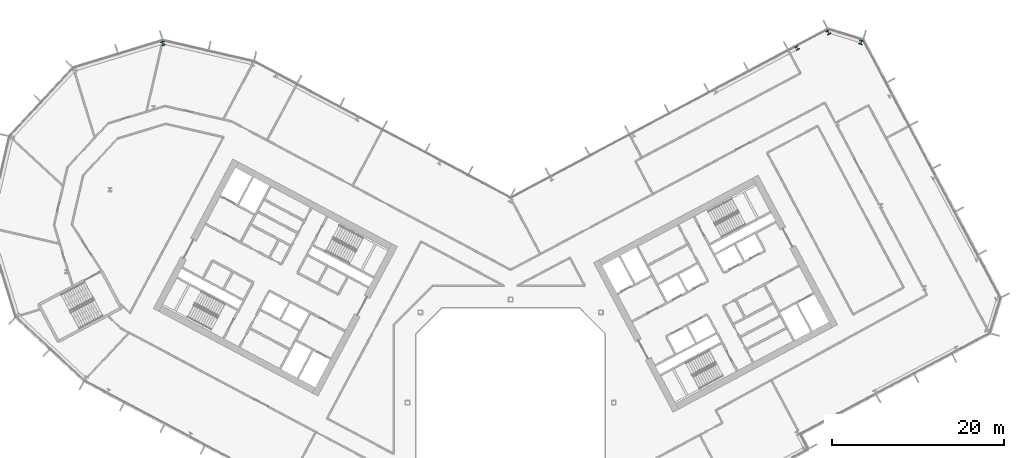
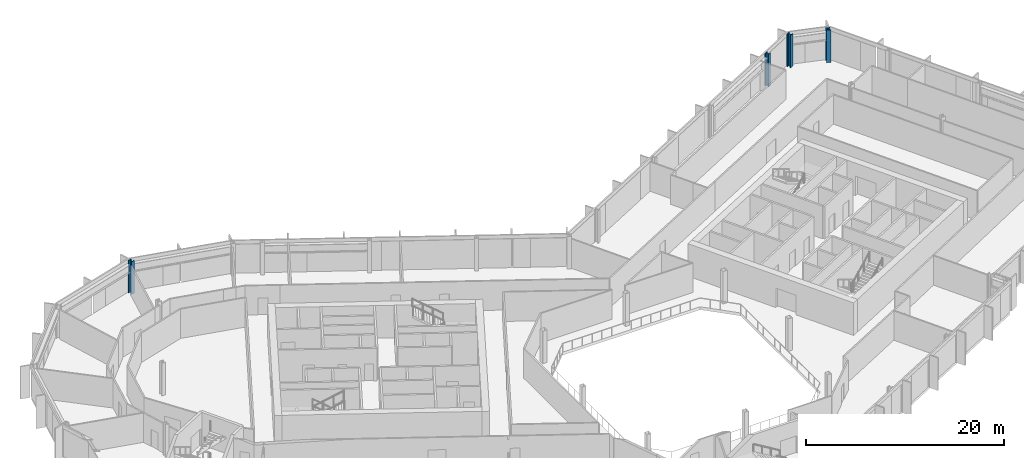
# One storey, part 8 of 28: 4 columns.
"""IFC4 building model written with IfcOpenShell, lengths in metres."""

from ifc_helpers import new_model, si_unit, direction, frame, origin, origin_2d, place, context, subcontext, project, spatial, i_section, extrude, material, material_profile, profile_set, type_object, element, save


model = new_model("IFC4")

# Units and contexts
model_context = context("Model", 3, precision=1e-05, world=origin(), true_north=direction((0.0, 1.0)))
body_context = subcontext(model_context, "Body", "Model", "MODEL_VIEW")
ifc_project = project(units=[si_unit("LENGTHUNIT", "METRE"), si_unit("AREAUNIT", "SQUARE_METRE"), si_unit("VOLUMEUNIT", "CUBIC_METRE"), si_unit("PLANEANGLEUNIT", "RADIAN"), si_unit("MASSUNIT", "GRAM", prefix="KILO")], contexts=[model_context])

# Site, building, storey
site_placement = place(None, origin())
site = spatial("IfcSite", under=ifc_project, at=site_placement, CompositionType="ELEMENT")
building_placement = place(site_placement, origin())
building = spatial("IfcBuilding", under=site, at=building_placement, Name="Cormorant Relay Tower", CompositionType="ELEMENT")
storey_placement = place(building_placement, frame((0.0, 0.0, 174.199951171875)))
storey = spatial("IfcBuildingStorey", under=building, at=storey_placement, Name="L37", CompositionType="ELEMENT", Elevation=174.199951171875)

# Columns
ifc_material_1 = material(Name="Steel ASTM A992 (Fy 345 MPa)", Category="steel")
ifc_material_profile_1 = material_profile(ifc_material_1, i_section(OverallWidth=0.41162109375, OverallDepth=0.434326171875, WebThickness=0.035888671875, FlangeThickness=0.057373046875, FilletRadius=0.01513671875, at=origin_2d()), Name="W360x463")
ifc_profile_set_1 = profile_set([ifc_material_profile_1], Name="Steel ASTM A992 (Fy 345 MPa)")
column_type_1 = type_object("IfcColumnType", Name="Column W360x463", PredefinedType="COLUMN", material=ifc_profile_set_1)
column_placement = place(storey_placement, frame((33.33203125, 41.258056640625, 0.0), z_axis=(0.0, 0.0, 1.0), x_axis=(-0.882947592859, -0.469471562786, 0.0)))
element("IfcColumn", 1, at=column_placement, inside=storey, type_object=column_type_1, Name="Column L37-047", PredefinedType="COLUMN", context=body_context, shape_type="SweptSolid", body=[
    extrude(i_section(OverallWidth=0.41162109375, OverallDepth=0.434326171875, WebThickness=0.035888671875, FlangeThickness=0.057373046875, FilletRadius=0.01513671875, at=origin_2d()), origin(), (0.0, 0.0, 1.0), 4.0),
])
ifc_material_2 = material(Name="Steel ASTM A992 (Fy 345 MPa)", Category="steel")
ifc_material_profile_2 = material_profile(ifc_material_2, i_section(OverallWidth=0.42431640625, OverallDepth=0.47509765625, WebThickness=0.0478515625, FlangeThickness=0.0771484375, FilletRadius=0.014892578125, at=origin_2d()), Name="W360x634")
ifc_profile_set_2 = profile_set([ifc_material_profile_2], Name="Steel ASTM A992 (Fy 345 MPa)")
column_type_2 = type_object("IfcColumnType", Name="Column W360x634", PredefinedType="COLUMN", material=ifc_profile_set_2)
for number, where, z_axis, x_axis, name in (
    (2, (-40.4541015625, 41.783935546875, 0.0), (0.0, 0.0, 1.0), (-0.956304755963, -0.292371704723, 0.0), "Column L37-048"),
    (3, (40.77197265625, 41.9130859375, 0.0), (0.0, 0.0, 1.0), (-0.956304755963, 0.292371704723, 0.0), "Column L37-049"),
    (4, (36.970947265625, 43.075927734375, 0.0), (0.0, 0.0, 1.0), (-0.882947592859, -0.469471562786, 0.0), "Column L37-050"),
):
    element("IfcColumn", number, at=place(storey_placement, frame(where, z_axis=z_axis, x_axis=x_axis)), inside=storey, type_object=column_type_2, Name=name, PredefinedType="COLUMN", context=body_context, shape_type="SweptSolid", body=[
        extrude(i_section(OverallWidth=0.42431640625, OverallDepth=0.47509765625, WebThickness=0.0478515625, FlangeThickness=0.0771484375, FilletRadius=0.014892578125, at=origin_2d()), origin(), (0.0, 0.0, 1.0), 4.0),
    ])

save(model, "model.ifc")
